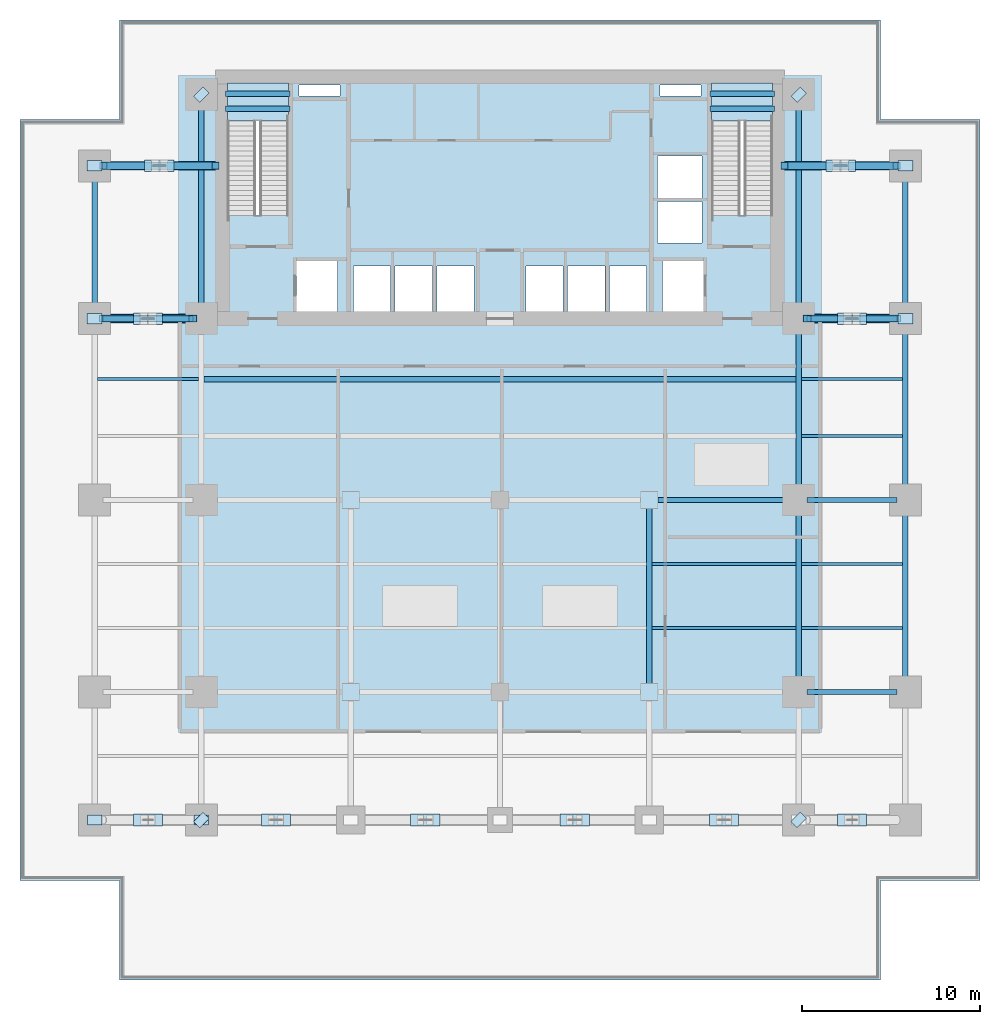
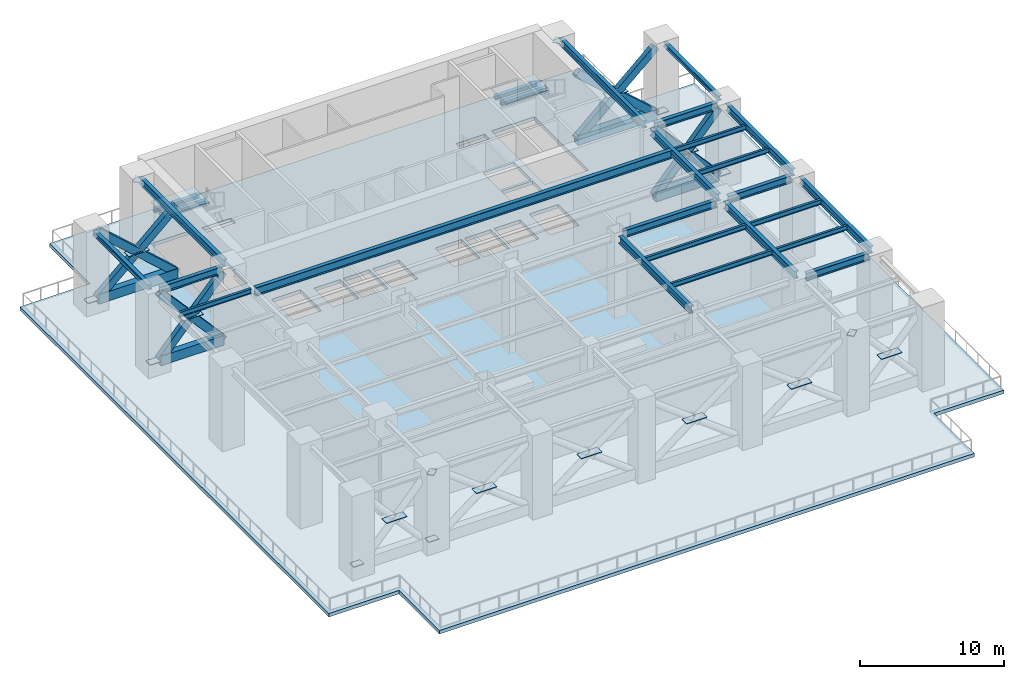
# One storey, part 2 of 10: 30 beams, 20 plates, 12 members, 3 slabs, 2 elements without a shape of their own.
"""IFC4 building model written with IfcOpenShell, lengths in metres."""

from ifc_helpers import new_model, si_unit, direction, frame, origin, origin_2d, place, context, subcontext, project, spatial, polyline, rectangle, hollow_rectangle, i_section, outline, extrude, source, transform, mapped, material, layer, layer_set, material_profile, profile_set, type_object, element, aggregate, save


model = new_model("IFC4")

# Units and contexts
model_context = context("Model", 3, precision=1e-05, world=origin(), true_north=direction((0.0, 1.0)))
body_context = subcontext(model_context, "Body", "Model", "MODEL_VIEW")
ifc_project = project(units=[si_unit("LENGTHUNIT", "METRE"), si_unit("AREAUNIT", "SQUARE_METRE"), si_unit("VOLUMEUNIT", "CUBIC_METRE"), si_unit("PLANEANGLEUNIT", "RADIAN"), si_unit("MASSUNIT", "GRAM", prefix="KILO")], contexts=[model_context])

# Site, building, storey
site_placement = place(None, origin())
site = spatial("IfcSite", under=ifc_project, at=site_placement, CompositionType="ELEMENT")
building_placement = place(site_placement, origin())
building = spatial("IfcBuilding", under=site, at=building_placement, Name="Sumidabori Civic Tower", CompositionType="ELEMENT")
storey_placement = place(building_placement, frame((0.0, 0.0, 70.39990234375)))
storey = spatial("IfcBuildingStorey", under=building, at=storey_placement, Name="L18", CompositionType="ELEMENT", Elevation=70.39990234375)

# Beams
ifc_material_1 = material(Name="Steel SN490", Category="steel")
ifc_material_profile_1 = material_profile(ifc_material_1, i_section(OverallWidth=0.300048828125, OverallDepth=0.300048828125, WebThickness=0.010986328125, FlangeThickness=0.01904296875, at=origin_2d()), Name="HE 300 B")
ifc_profile_set_1 = profile_set([ifc_material_profile_1], Name="Steel SN490")
beam_type_1 = type_object("IfcBeamType", Name="BM-LDG-300", PredefinedType="BEAM", material=ifc_profile_set_1)
shared_shape_1 = source(origin(), body_context, "Body", "SweptSolid", [
    extrude(i_section(OverallWidth=0.300048828125, OverallDepth=0.300048828125, WebThickness=0.010986328125, FlangeThickness=0.01904296875, at=origin_2d()), origin(), (0.0, 0.0, 1.0), 3.64990234375),
])
for number, where, z_axis, x_axis, name in (
    (1, (-15.449951171875, 22.001708984375, 3.25), (1.0, 0.0, 0.0), (0.0, 1.0, 0.0), "Stair ST-1 Landing Support Beam L18-1A"),
    (2, (-15.449951171875, 22.853515625, 3.25), (1.0, 0.0, 0.0), (0.0, 1.0, 0.0), "Stair ST-1 Landing Trimmer Beam L18-1B"),
    (3, (11.800048828125, 22.001708984375, 3.25), (1.0, 0.0, 0.0), (0.0, 1.0, 0.0), "Stair ST-2 Landing Support Beam L18-1A"),
    (4, (11.800048828125, 22.853515625, 3.25), (1.0, 0.0, 0.0), (0.0, 1.0, 0.0), "Stair ST-2 Landing Trimmer Beam L18-1B"),
):
    element("IfcBeam", number, at=place(storey_placement, frame(where, z_axis=z_axis, x_axis=x_axis)), inside=storey, type_object=beam_type_1, Name=name, PredefinedType="BEAM", context=body_context, shape_type="MappedRepresentation", body=[
        mapped(shared_shape_1, transform((0.0, 0.0, 0.0), x_axis=(1.0, 0.0, 0.0), y_axis=(0.0, 1.0, 0.0), z_axis=(0.0, 0.0, 1.0), scale=1.0)),
    ])
ifc_material_profile_2 = material_profile(ifc_material_1, i_section(OverallWidth=0.300048828125, OverallDepth=0.60009765625, WebThickness=0.015380859375, FlangeThickness=0.030029296875, at=origin_2d()), Name="HE 600 B")
ifc_profile_set_2 = profile_set([ifc_material_profile_2], Name="Steel SN490")
beam_type_2 = type_object("IfcBeamType", Name="BM-GIRD-600", PredefinedType="BEAM", material=ifc_profile_set_2)
shared_shape_2 = source(origin(), body_context, "Body", "SweptSolid", [
    extrude(i_section(OverallWidth=0.300048828125, OverallDepth=0.60009765625, WebThickness=0.015380859375, FlangeThickness=0.030029296875, at=origin_2d()), origin(), (0.0, 0.0, 1.0), 5.0400390625),
])
for number, where, z_axis, x_axis, name in (
    (5, (17.280029296875, -10.800048828125, 6.60009765625), (1.0, 0.0, 0.0), (0.0, 1.0, 0.0), "Primary Girder L18 GX-12"),
    (6, (17.280029296875, 0.0, 6.60009765625), (1.0, 0.0, 0.0), (0.0, 1.0, 0.0), "Primary Girder L18 GX-18"),
    (7, (-22.320068359375, 10.199951171875, 6.60009765625), (1.0, 0.0, 0.0), (0.0, 1.0, 0.0), "Primary Girder L18 GX-19"),
    (8, (17.280029296875, 10.199951171875, 6.60009765625), (1.0, 0.0, 0.0), (0.0, 1.0, 0.0), "Primary Girder L18 GX-20"),
):
    element("IfcBeam", number, at=place(storey_placement, frame(where, z_axis=z_axis, x_axis=x_axis)), inside=storey, type_object=beam_type_2, Name=name, PredefinedType="BEAM", context=body_context, shape_type="MappedRepresentation", body=[
        mapped(shared_shape_2, transform((0.0, 0.0, 0.0), x_axis=(1.0, 0.0, 0.0), y_axis=(0.0, 1.0, 0.0), z_axis=(0.0, 0.0, 1.0), scale=1.0)),
    ])
shared_shape_3 = source(origin(), body_context, "Body", "SweptSolid", [
    extrude(i_section(OverallWidth=0.300048828125, OverallDepth=0.60009765625, WebThickness=0.015380859375, FlangeThickness=0.030029296875, at=origin_2d()), origin(), (0.0, 0.0, 1.0), 7.440185546875),
])
beam_1_placement = place(storey_placement, frame((8.8798828125, 0.0, 6.60009765625), z_axis=(1.0, 0.0, 0.0), x_axis=(0.0, 1.0, 0.0)))
element("IfcBeam", 9, at=beam_1_placement, inside=storey, type_object=beam_type_2, Name="Primary Girder L18 GX-17", PredefinedType="BEAM", context=body_context, shape_type="MappedRepresentation", body=[
    mapped(shared_shape_3, transform((0.0, 0.0, 0.0), x_axis=(1.0, 0.0, 0.0), y_axis=(0.0, 1.0, 0.0), z_axis=(0.0, 0.0, 1.0), scale=1.0)),
])
shared_shape_4 = source(origin(), body_context, "Body", "SweptSolid", [
    extrude(i_section(OverallWidth=0.300048828125, OverallDepth=0.60009765625, WebThickness=0.015380859375, FlangeThickness=0.030029296875, at=origin_2d()), origin(), (0.0, 0.0, 1.0), 9.840087890625),
])
for number, where, z_axis, x_axis, name in (
    (10, (8.39990234375, -10.320068359375, 6.60009765625), (0.0, 1.0, 0.0), (-1.0, 0.0, 0.0), "Primary Girder L18 GY-34"),
    (11, (16.800048828125, -10.320068359375, 6.60009765625), (0.0, 1.0, 0.0), (-1.0, 0.0, 0.0), "Primary Girder L18 GY-36"),
    (12, (22.800048828125, -10.320068359375, 6.60009765625), (0.0, 1.0, 0.0), (-1.0, 0.0, 0.0), "Primary Girder L18 GY-40"),
):
    element("IfcBeam", number, at=place(storey_placement, frame(where, z_axis=z_axis, x_axis=x_axis)), inside=storey, type_object=beam_type_2, Name=name, PredefinedType="BEAM", context=body_context, shape_type="MappedRepresentation", body=[
        mapped(shared_shape_4, transform((0.0, 0.0, 0.0), x_axis=(1.0, 0.0, 0.0), y_axis=(0.0, 1.0, 0.0), z_axis=(0.0, 0.0, 1.0), scale=1.0)),
    ])
shared_shape_5 = source(origin(), body_context, "Body", "SweptSolid", [
    extrude(i_section(OverallWidth=0.300048828125, OverallDepth=0.60009765625, WebThickness=0.015380859375, FlangeThickness=0.030029296875, at=origin_2d()), origin(), (0.0, 0.0, 1.0), 9.239990234375),
])
for number, where, z_axis, x_axis, name in (
    (13, (16.800048828125, 0.47998046875, 6.60009765625), (0.0, 1.0, 0.0), (-1.0, 0.0, 0.0), "Primary Girder L18 GY-37"),
    (14, (22.800048828125, 0.47998046875, 6.60009765625), (0.0, 1.0, 0.0), (-1.0, 0.0, 0.0), "Primary Girder L18 GY-41"),
):
    element("IfcBeam", number, at=place(storey_placement, frame(where, z_axis=z_axis, x_axis=x_axis)), inside=storey, type_object=beam_type_2, Name=name, PredefinedType="BEAM", context=body_context, shape_type="MappedRepresentation", body=[
        mapped(shared_shape_5, transform((0.0, 0.0, 0.0), x_axis=(1.0, 0.0, 0.0), y_axis=(0.0, 1.0, 0.0), z_axis=(0.0, 0.0, 1.0), scale=1.0)),
    ])
ifc_material_profile_3 = material_profile(ifc_material_1, i_section(OverallWidth=0.300048828125, OverallDepth=0.39990234375, WebThickness=0.013427734375, FlangeThickness=0.02392578125, at=origin_2d()), Name="HE 400 B")
ifc_profile_set_3 = profile_set([ifc_material_profile_3], Name="Steel SN490")
beam_type_3 = type_object("IfcBeamType", Name="BM-GIRD-400", PredefinedType="BEAM", material=ifc_profile_set_3)
shared_shape_6 = source(origin(), body_context, "Body", "SweptSolid", [
    extrude(i_section(OverallWidth=0.300048828125, OverallDepth=0.39990234375, WebThickness=0.013427734375, FlangeThickness=0.02392578125, at=origin_2d()), origin(), (0.0, 0.0, 1.0), 7.64013671875),
])
for number, where, z_axis, x_axis, name in (
    (15, (-22.800048828125, 10.679931640625, 6.7001953125), (0.0, 1.0, 0.0), (-1.0, 0.0, 0.0), "Primary Girder L18 GY-24"),
    (16, (22.800048828125, 10.679931640625, 6.7001953125), (0.0, 1.0, 0.0), (-1.0, 0.0, 0.0), "Primary Girder L18 GY-42"),
):
    element("IfcBeam", number, at=place(storey_placement, frame(where, z_axis=z_axis, x_axis=x_axis)), inside=storey, type_object=beam_type_3, Name=name, PredefinedType="BEAM", context=body_context, shape_type="MappedRepresentation", body=[
        mapped(shared_shape_6, transform((0.0, 0.0, 0.0), x_axis=(1.0, 0.0, 0.0), y_axis=(0.0, 1.0, 0.0), z_axis=(0.0, 0.0, 1.0), scale=1.0)),
    ])
shared_shape_7 = source(origin(), body_context, "Body", "SweptSolid", [
    extrude(i_section(OverallWidth=0.300048828125, OverallDepth=0.60009765625, WebThickness=0.015380859375, FlangeThickness=0.030029296875, at=origin_2d()), origin(), (0.0, 0.0, 1.0), 11.64013671875),
])
for number, where, z_axis, x_axis, name in (
    (17, (-16.800048828125, 10.679931640625, 6.60009765625), (0.0, 1.0, 0.0), (-1.0, 0.0, 0.0), "Primary Girder L18 GY-28"),
    (18, (16.800048828125, 10.679931640625, 6.60009765625), (0.0, 1.0, 0.0), (-1.0, 0.0, 0.0), "Primary Girder L18 GY-38"),
):
    element("IfcBeam", number, at=place(storey_placement, frame(where, z_axis=z_axis, x_axis=x_axis)), inside=storey, type_object=beam_type_2, Name=name, PredefinedType="BEAM", context=body_context, shape_type="MappedRepresentation", body=[
        mapped(shared_shape_7, transform((0.0, 0.0, 0.0), x_axis=(1.0, 0.0, 0.0), y_axis=(0.0, 1.0, 0.0), z_axis=(0.0, 0.0, 1.0), scale=1.0)),
    ])
ifc_material_profile_4 = material_profile(ifc_material_1, i_section(OverallWidth=0.300048828125, OverallDepth=0.699951171875, WebThickness=0.01708984375, FlangeThickness=0.031982421875, at=origin_2d()), Name="HE 700 B")
ifc_profile_set_4 = profile_set([ifc_material_profile_4], Name="Steel SN490")
beam_type_4 = type_object("IfcBeamType", Name="BM-GIRD-700", PredefinedType="BEAM", material=ifc_profile_set_4)
shared_shape_8 = source(origin(), body_context, "Body", "SweptSolid", [
    extrude(i_section(OverallWidth=0.300048828125, OverallDepth=0.699951171875, WebThickness=0.01708984375, FlangeThickness=0.031982421875, at=origin_2d()), origin(), (0.0, 0.0, 1.0), 33.2998046875),
])
beam_2_placement = place(storey_placement, frame((-16.64990234375, 6.800048828125, 6.550048828125), z_axis=(1.0, 0.0, 0.0), x_axis=(0.0, 1.0, 0.0)))
element("IfcBeam", 19, at=beam_2_placement, inside=storey, type_object=beam_type_4, Name="North Bay Floor Beam L18 JSTN-54", PredefinedType="BEAM", context=body_context, shape_type="MappedRepresentation", body=[
    mapped(shared_shape_8, transform((0.0, 0.0, 0.0), x_axis=(1.0, 0.0, 0.0), y_axis=(0.0, 1.0, 0.0), z_axis=(0.0, 0.0, 1.0), scale=1.0)),
])
ifc_material_profile_5 = material_profile(ifc_material_1, i_section(OverallWidth=0.179931640625, OverallDepth=0.39990234375, WebThickness=0.008544921875, FlangeThickness=0.013427734375, at=origin_2d()), Name="IPE 400")
ifc_profile_set_5 = profile_set([ifc_material_profile_5], Name="Steel SN490")
beam_type_5 = type_object("IfcBeamType", Name="BM-JST-400", PredefinedType="JOIST", material=ifc_profile_set_5)
shared_shape_9 = source(origin(), body_context, "Body", "SweptSolid", [
    extrude(i_section(OverallWidth=0.179931640625, OverallDepth=0.39990234375, WebThickness=0.008544921875, FlangeThickness=0.013427734375, at=origin_2d()), origin(), (0.0, 0.0, 1.0), 5.699951171875),
])
for number, where, z_axis, x_axis, name in (
    (20, (16.949951171875, -7.199951171875, 6.7001953125), (1.0, 0.0, 0.0), (0.0, 1.0, 0.0), "Outer Bay Floor Joist L18 JSTO-44"),
    (21, (16.949951171875, -3.60009765625, 6.7001953125), (1.0, 0.0, 0.0), (0.0, 1.0, 0.0), "Outer Bay Floor Joist L18 JSTO-46"),
    (22, (16.949951171875, 3.60009765625, 6.7001953125), (1.0, 0.0, 0.0), (0.0, 1.0, 0.0), "Outer Bay Floor Joist L18 JSTO-48"),
    (23, (-22.64990234375, 6.800048828125, 6.7001953125), (1.0, 0.0, 0.0), (0.0, 1.0, 0.0), "Outer Bay Floor Joist L18 JSTO-49"),
    (24, (16.949951171875, 6.800048828125, 6.7001953125), (1.0, 0.0, 0.0), (0.0, 1.0, 0.0), "Outer Bay Floor Joist L18 JSTO-50"),
):
    element("IfcBeam", number, at=place(storey_placement, frame(where, z_axis=z_axis, x_axis=x_axis)), inside=storey, type_object=beam_type_5, Name=name, PredefinedType="JOIST", context=body_context, shape_type="MappedRepresentation", body=[
        mapped(shared_shape_9, transform((0.0, 0.0, 0.0), x_axis=(1.0, 0.0, 0.0), y_axis=(0.0, 1.0, 0.0), z_axis=(0.0, 0.0, 1.0), scale=1.0)),
    ])
shared_shape_10 = source(origin(), body_context, "Body", "SweptSolid", [
    extrude(i_section(OverallWidth=0.179931640625, OverallDepth=0.39990234375, WebThickness=0.008544921875, FlangeThickness=0.013427734375, at=origin_2d()), origin(), (0.0, 0.0, 1.0), 8.099853515625),
])
for number, where, z_axis, x_axis, name in (
    (25, (8.550048828125, -7.199951171875, 6.7001953125), (1.0, 0.0, 0.0), (0.0, 1.0, 0.0), "South Bay Floor Joist L18 JSTS-62"),
    (26, (8.550048828125, -3.60009765625, 6.7001953125), (1.0, 0.0, 0.0), (0.0, 1.0, 0.0), "South Bay Floor Joist L18 JSTS-66"),
):
    element("IfcBeam", number, at=place(storey_placement, frame(where, z_axis=z_axis, x_axis=x_axis)), inside=storey, type_object=beam_type_5, Name=name, PredefinedType="JOIST", context=body_context, shape_type="MappedRepresentation", body=[
        mapped(shared_shape_10, transform((0.0, 0.0, 0.0), x_axis=(1.0, 0.0, 0.0), y_axis=(0.0, 1.0, 0.0), z_axis=(0.0, 0.0, 1.0), scale=1.0)),
    ])
ifc_material_profile_6 = material_profile(ifc_material_1, hollow_rectangle(XDim=0.5, YDim=0.800048828125, WallThickness=0.031982421875, at=origin_2d()), Name="RHS 800x500x32")
ifc_profile_set_6 = profile_set([ifc_material_profile_6], Name="Steel SN490")
beam_type_6 = type_object("IfcBeamType", Name="BM-OUTR-CHORD", PredefinedType="BEAM", material=ifc_profile_set_6)
shared_shape_11 = source(origin(), body_context, "Body", "SweptSolid", [
    extrude(hollow_rectangle(XDim=0.5, YDim=0.800048828125, WallThickness=0.031982421875, at=origin_2d()), origin(), (0.0, 0.0, 1.0), 5.0400390625),
])
for number, where, z_axis, x_axis, name in (
    (27, (-17.280029296875, 10.199951171875, 0.7001953125), (-1.0, 0.0, 0.0), (0.0, -1.0, 0.0), "Outrigger Truss Chord L18 W1"),
    (28, (17.280029296875, 10.199951171875, 0.7001953125), (1.0, 0.0, 0.0), (0.0, 1.0, 0.0), "Outrigger Truss Chord L18 E1"),
):
    element("IfcBeam", number, at=place(storey_placement, frame(where, z_axis=z_axis, x_axis=x_axis)), inside=storey, type_object=beam_type_6, Name=name, PredefinedType="BEAM", context=body_context, shape_type="MappedRepresentation", body=[
        mapped(shared_shape_11, transform((0.0, 0.0, 0.0), x_axis=(1.0, 0.0, 0.0), y_axis=(0.0, 1.0, 0.0), z_axis=(0.0, 0.0, 1.0), scale=1.0)),
    ])

# Members
ifc_material_profile_7 = material_profile(ifc_material_1, hollow_rectangle(XDim=0.39990234375, YDim=0.60009765625, WallThickness=0.02490234375, at=origin_2d()), Name="RHS 600x400x25")
ifc_profile_set_7 = profile_set([ifc_material_profile_7], Name="Steel SN490")
member_type = type_object("IfcMemberType", Name="MB-OT-DIAG", PredefinedType="BRACE", material=ifc_profile_set_7)
shared_shape_12 = source(origin(), body_context, "Body", "SweptSolid", [
    extrude(hollow_rectangle(XDim=0.39990234375, YDim=0.60009765625, WallThickness=0.02490234375, at=origin_2d()), origin(), (0.0, 0.0, 1.0), 7.5712890625),
])
for number, where, z_axis, x_axis, name in (
    (29, (-17.280029296875, 10.199951171875, 0.7001953125), (-0.665683769998, 0.0, 0.746233956854), (0.0, -1.0, 0.0), "Outrigger Truss Diagonal L18 W1A"),
    (30, (17.280029296875, 10.199951171875, 0.7001953125), (0.665683769998, 0.0, 0.746233956854), (0.0, 1.0, 0.0), "Outrigger Truss Diagonal L18 E1A"),
):
    element("IfcMember", number, at=place(storey_placement, frame(where, z_axis=z_axis, x_axis=x_axis)), inside=storey, type_object=member_type, Name=name, PredefinedType="BRACE", context=body_context, shape_type="MappedRepresentation", body=[
        mapped(shared_shape_12, transform((0.0, 0.0, 0.0), x_axis=(1.0, 0.0, 0.0), y_axis=(0.0, 1.0, 0.0), z_axis=(0.0, 0.0, 1.0), scale=1.0)),
    ])
shared_shape_13 = source(origin(), body_context, "Body", "SweptSolid", [
    extrude(hollow_rectangle(XDim=0.39990234375, YDim=0.60009765625, WallThickness=0.02490234375, at=origin_2d()), origin(), (0.0, 0.0, 1.0), 3.437255859375),
])
for number, where, z_axis, x_axis, name in (
    (31, (-17.280029296875, 10.199951171875, 6.35009765625), (-0.665685410802, 0.0, -0.746232493159), (0.0, -1.0, 0.0), "Outrigger Truss Diagonal L18 W1B Lower Segment"),
    (32, (-20.031982421875, 10.199951171875, 3.26513671875), (-0.665685410802, 0.0, -0.746232493159), (0.0, -1.0, 0.0), "Outrigger Truss Diagonal L18 W1B Upper Segment"),
    (33, (17.280029296875, 10.199951171875, 6.35009765625), (0.665685410802, 0.0, -0.746232493159), (0.0, 1.0, 0.0), "Outrigger Truss Diagonal L18 E1B Lower Segment"),
    (34, (20.031982421875, 10.199951171875, 3.26513671875), (0.665685410802, 0.0, -0.746232493159), (0.0, 1.0, 0.0), "Outrigger Truss Diagonal L18 E1B Upper Segment"),
):
    element("IfcMember", number, at=place(storey_placement, frame(where, z_axis=z_axis, x_axis=x_axis)), inside=storey, type_object=member_type, Name=name, PredefinedType="BRACE", context=body_context, shape_type="MappedRepresentation", body=[
        mapped(shared_shape_13, transform((0.0, 0.0, 0.0), x_axis=(1.0, 0.0, 0.0), y_axis=(0.0, 1.0, 0.0), z_axis=(0.0, 0.0, 1.0), scale=1.0)),
    ])

# Beams
shared_shape_14 = source(origin(), body_context, "Body", "SweptSolid", [
    extrude(hollow_rectangle(XDim=0.5, YDim=0.800048828125, WallThickness=0.031982421875, at=origin_2d()), origin(), (0.0, 0.0, 1.0), 6.320068359375),
])
for number, where, z_axis, x_axis, name in (
    (35, (-16.0, 18.800048828125, 0.7001953125), (-1.0, 0.0, 0.0), (0.0, -1.0, 0.0), "Outrigger Truss Chord L18 W2"),
    (36, (16.0, 18.800048828125, 0.7001953125), (1.0, 0.0, 0.0), (0.0, 1.0, 0.0), "Outrigger Truss Chord L18 E2"),
):
    element("IfcBeam", number, at=place(storey_placement, frame(where, z_axis=z_axis, x_axis=x_axis)), inside=storey, type_object=beam_type_6, Name=name, PredefinedType="BEAM", context=body_context, shape_type="MappedRepresentation", body=[
        mapped(shared_shape_14, transform((0.0, 0.0, 0.0), x_axis=(1.0, 0.0, 0.0), y_axis=(0.0, 1.0, 0.0), z_axis=(0.0, 0.0, 1.0), scale=1.0)),
    ])

# Members
shared_shape_15 = source(origin(), body_context, "Body", "SweptSolid", [
    extrude(hollow_rectangle(XDim=0.39990234375, YDim=0.60009765625, WallThickness=0.02490234375, at=origin_2d()), origin(), (0.0, 0.0, 1.0), 8.477294921875),
])
for number, where, z_axis, x_axis, name in (
    (37, (-16.0, 18.800048828125, 0.7001953125), (-0.745528218739, 0.0, 0.666474061809), (0.0, -1.0, 0.0), "Outrigger Truss Diagonal L18 W2A"),
    (38, (16.0, 18.800048828125, 0.7001953125), (0.745528218739, 0.0, 0.666474061809), (0.0, 1.0, 0.0), "Outrigger Truss Diagonal L18 E2A"),
):
    element("IfcMember", number, at=place(storey_placement, frame(where, z_axis=z_axis, x_axis=x_axis)), inside=storey, type_object=member_type, Name=name, PredefinedType="BRACE", context=body_context, shape_type="MappedRepresentation", body=[
        mapped(shared_shape_15, transform((0.0, 0.0, 0.0), x_axis=(1.0, 0.0, 0.0), y_axis=(0.0, 1.0, 0.0), z_axis=(0.0, 0.0, 1.0), scale=1.0)),
    ])
shared_shape_16 = source(origin(), body_context, "Body", "SweptSolid", [
    extrude(hollow_rectangle(XDim=0.39990234375, YDim=0.60009765625, WallThickness=0.02490234375, at=origin_2d()), origin(), (0.0, 0.0, 1.0), 3.89111328125),
])
for number, where, z_axis, x_axis, name in (
    (39, (-16.0, 18.800048828125, 6.35009765625), (-0.745530061343, 0.0, -0.666472000638), (0.0, -1.0, 0.0), "Outrigger Truss Diagonal L18 W2B Lower Segment"),
    (40, (-19.419189453125, 18.800048828125, 3.29345703125), (-0.745530061343, 0.0, -0.666472000638), (0.0, -1.0, 0.0), "Outrigger Truss Diagonal L18 W2B Upper Segment"),
    (41, (16.0, 18.800048828125, 6.35009765625), (0.745530061343, 0.0, -0.666472000638), (0.0, 1.0, 0.0), "Outrigger Truss Diagonal L18 E2B Lower Segment"),
    (42, (19.419189453125, 18.800048828125, 3.29345703125), (0.745530061343, 0.0, -0.666472000638), (0.0, 1.0, 0.0), "Outrigger Truss Diagonal L18 E2B Upper Segment"),
):
    element("IfcMember", number, at=place(storey_placement, frame(where, z_axis=z_axis, x_axis=x_axis)), inside=storey, type_object=member_type, Name=name, PredefinedType="BRACE", context=body_context, shape_type="MappedRepresentation", body=[
        mapped(shared_shape_16, transform((0.0, 0.0, 0.0), x_axis=(1.0, 0.0, 0.0), y_axis=(0.0, 1.0, 0.0), z_axis=(0.0, 0.0, 1.0), scale=1.0)),
    ])

# Stair, slab
ifc_material_2 = material(Name="Concrete C40/50", Category="concrete")
stair_type = type_object("IfcStairType", Name="ST-CORE-1600", PredefinedType="HALF_TURN_STAIR", material=ifc_material_2)
stair_1_placement = place(storey_placement, origin())
stair_1 = element("IfcStair", 43, at=stair_1_placement, inside=storey, type_object=stair_type, Name="L18 ST-1", PredefinedType="HALF_TURN_STAIR")
ifc_layer_1 = layer(ifc_material_2, 0.199951171875, Name="Concrete C40/50")
ifc_layer_set_1 = layer_set([ifc_layer_1], Name="Concrete C40/50")
slab_type_1 = type_object("IfcSlabType", Name="SL-LAND-200", PredefinedType="LANDING", material=ifc_layer_set_1)
slab_1_placement = place(storey_placement, frame((0.0, 0.0, 3.400146484375)))
slab_1 = element("IfcSlab", 44, at=slab_1_placement, type_object=slab_type_1, Name="ST-1 landing 1", PredefinedType="LANDING", context=body_context, shape_type="SweptSolid", body=[
    extrude(outline(polyline([(-11.89990234375, 21.320068359375), (-11.89990234375, 23.449951171875), (-15.340087890625, 23.449951171875), (-15.340087890625, 21.320068359375), (-11.89990234375, 21.320068359375)])), origin(), (0.0, 0.0, 1.0), 0.199951171875),
])
aggregate(stair_1, [slab_1])

stair_2_placement = place(storey_placement, origin())
stair_2 = element("IfcStair", 45, at=stair_2_placement, inside=storey, type_object=stair_type, Name="L18 ST-2", PredefinedType="HALF_TURN_STAIR")
slab_2_placement = place(storey_placement, frame((0.0, 0.0, 3.400146484375)))
slab_2 = element("IfcSlab", 46, at=slab_2_placement, type_object=slab_type_1, Name="ST-2 landing 1", PredefinedType="LANDING", context=body_context, shape_type="SweptSolid", body=[
    extrude(outline(polyline([(15.340087890625, 21.320068359375), (15.340087890625, 23.449951171875), (11.89990234375, 23.449951171875), (11.89990234375, 21.320068359375), (15.340087890625, 21.320068359375)])), origin(), (0.0, 0.0, 1.0), 0.199951171875),
])
aggregate(stair_2, [slab_2])

# Slab
ifc_layer_2 = layer(ifc_material_2, 0.300048828125, Name="Concrete C40/50")
ifc_layer_set_2 = layer_set([ifc_layer_2], Name="Concrete C40/50")
slab_type_2 = type_object("IfcSlabType", Name="SL-PRT-300", PredefinedType="FLOOR", material=ifc_layer_set_2)
slab_3_placement = place(storey_placement, frame((0.0, 0.0, -0.2998046875)))
element("IfcSlab", 47, at=slab_3_placement, inside=storey, type_object=slab_type_2, Name="Wind-Slot Refuge and Plant Structural Slab L18", PredefinedType="FLOOR", context=body_context, shape_type="SweptSolid", body=[
    extrude(outline(polyline([(-21.39990234375, -27.0), (21.39990234375, -27.0), (21.39990234375, -21.39990234375), (27.0, -21.39990234375), (27.0, 21.39990234375), (21.39990234375, 21.39990234375), (21.39990234375, 27.0), (-21.39990234375, 27.0), (-21.39990234375, 21.39990234375), (-27.0, 21.39990234375), (-27.0, -21.39990234375), (-21.39990234375, -21.39990234375), (-21.39990234375, -27.0)]), holes=[polyline([(-11.89990234375, 16.0), (-11.89990234375, 23.449951171875), (-15.340087890625, 23.449951171875), (-15.340087890625, 16.0), (-11.89990234375, 16.0)]), polyline([(15.340087890625, 16.0), (15.340087890625, 23.449951171875), (11.89990234375, 23.449951171875), (11.89990234375, 16.0), (15.340087890625, 16.0)]), polyline([(-11.449951171875, 10.550048828125), (-9.14990234375, 10.550048828125), (-9.14990234375, 13.449951171875), (-11.449951171875, 13.449951171875), (-11.449951171875, 10.550048828125)]), polyline([(9.14990234375, 10.550048828125), (11.449951171875, 10.550048828125), (11.449951171875, 13.449951171875), (9.14990234375, 13.449951171875), (9.14990234375, 10.550048828125)]), polyline([(-8.25, 10.550048828125), (-6.14990234375, 10.550048828125), (-6.14990234375, 13.14990234375), (-8.25, 13.14990234375), (-8.25, 10.550048828125)]), polyline([(-5.89990234375, 10.550048828125), (-3.800048828125, 10.550048828125), (-3.800048828125, 13.14990234375), (-5.89990234375, 13.14990234375), (-5.89990234375, 10.550048828125)]), polyline([(-3.550048828125, 10.550048828125), (-1.449951171875, 10.550048828125), (-1.449951171875, 13.14990234375), (-3.550048828125, 13.14990234375), (-3.550048828125, 10.550048828125)]), polyline([(1.449951171875, 10.550048828125), (3.550048828125, 10.550048828125), (3.550048828125, 13.14990234375), (1.449951171875, 13.14990234375), (1.449951171875, 10.550048828125)]), polyline([(3.800048828125, 10.550048828125), (5.89990234375, 10.550048828125), (5.89990234375, 13.14990234375), (3.800048828125, 13.14990234375), (3.800048828125, 10.550048828125)]), polyline([(6.14990234375, 10.550048828125), (8.25, 10.550048828125), (8.25, 13.14990234375), (6.14990234375, 13.14990234375), (6.14990234375, 10.550048828125)]), polyline([(8.85009765625, 14.449951171875), (11.35009765625, 14.449951171875), (11.35009765625, 16.800048828125), (8.85009765625, 16.800048828125), (8.85009765625, 14.449951171875)]), polyline([(8.85009765625, 17.0), (11.35009765625, 17.0), (11.35009765625, 19.35009765625), (8.85009765625, 19.35009765625), (8.85009765625, 17.0)]), polyline([(-11.300048828125, 22.719970703125), (-9.0, 22.719970703125), (-9.0, 23.35009765625), (-11.300048828125, 23.35009765625), (-11.300048828125, 22.719970703125)]), polyline([(9.0, 22.719970703125), (11.300048828125, 22.719970703125), (11.300048828125, 23.35009765625), (9.0, 23.35009765625), (9.0, 22.719970703125)])]), origin(), (0.0, 0.0, 1.0), 0.2998046875),
])

# Plates
ifc_layer_3 = layer(ifc_material_1, 0.0400390625, Name="Steel SN490")
ifc_layer_set_3 = layer_set([ifc_layer_3], Name="Steel SN490")
plate_type_1 = type_object("IfcPlateType", Name="PL-NODE-XBR", PredefinedType="USERDEFINED", material=ifc_layer_set_3)
shared_shape_17 = source(origin(), body_context, "Body", "SweptSolid", [
    extrude(rectangle(XDim=1.64990234375, YDim=0.64990234375, at=origin_2d()), origin(), (0.0, 0.0, 1.0), 0.0400390625),
])
for number, where, z_axis, x_axis, name in (
    (48, (-19.800048828125, -18.0, 3.505126953125), (0.0, 0.0, 1.0), (1.0, 0.0, 0.0), "X-Brace Crossing Node Plate XND-BT-1"),
    (49, (-12.60009765625, -18.0, 3.505126953125), (0.0, 0.0, 1.0), (1.0, 0.0, 0.0), "X-Brace Crossing Node Plate XND-BT-2"),
    (50, (-4.199951171875, -18.0, 3.505126953125), (0.0, 0.0, 1.0), (1.0, 0.0, 0.0), "X-Brace Crossing Node Plate XND-BT-3"),
    (51, (4.199951171875, -18.0, 3.505126953125), (0.0, 0.0, 1.0), (1.0, 0.0, 0.0), "X-Brace Crossing Node Plate XND-BT-4"),
    (52, (12.60009765625, -18.0, 3.505126953125), (0.0, 0.0, 1.0), (1.0, 0.0, 0.0), "X-Brace Crossing Node Plate XND-BT-5"),
    (53, (19.800048828125, -18.0, 3.505126953125), (0.0, 0.0, 1.0), (1.0, 0.0, 0.0), "X-Brace Crossing Node Plate XND-BT-6"),
    (54, (-19.800048828125, 10.199951171875, 3.505126953125), (0.0, 0.0, 1.0), (-1.0, 0.0, 0.0), "X-Brace Crossing Node Plate XND-OT-W1"),
    (55, (-19.159912109375, 18.800048828125, 3.505126953125), (0.0, 0.0, 1.0), (-1.0, 0.0, 0.0), "X-Brace Crossing Node Plate XND-OT-W2"),
    (56, (19.800048828125, 10.199951171875, 3.505126953125), (0.0, 0.0, 1.0), (1.0, 0.0, 0.0), "X-Brace Crossing Node Plate XND-OT-E1"),
    (57, (19.159912109375, 18.800048828125, 3.505126953125), (0.0, 0.0, 1.0), (1.0, 0.0, 0.0), "X-Brace Crossing Node Plate XND-OT-E2"),
):
    element("IfcPlate", number, at=place(storey_placement, frame(where, z_axis=z_axis, x_axis=x_axis)), inside=storey, type_object=plate_type_1, Name=name, ObjectType="GUSSET_PLATE", PredefinedType="USERDEFINED", context=body_context, shape_type="MappedRepresentation", body=[
        mapped(shared_shape_17, transform((0.0, 0.0, 0.0), x_axis=(1.0, 0.0, 0.0), y_axis=(0.0, 1.0, 0.0), z_axis=(0.0, 0.0, 1.0), scale=1.0)),
    ])
ifc_layer_4 = layer(ifc_material_1, 0.0400390625, Name="Steel SN490")
ifc_layer_set_4 = layer_set([ifc_layer_4], Name="Steel SN490")
plate_type_2 = type_object("IfcPlateType", Name="PL-NODE-BT", PredefinedType="USERDEFINED", material=ifc_layer_set_4)
shared_shape_18 = source(origin(), body_context, "Body", "SweptSolid", [
    extrude(rectangle(XDim=0.800048828125, YDim=0.550048828125, at=origin_2d()), origin(), (0.0, 0.0, 1.0), 0.0400390625),
])
for number, where, z_axis, x_axis, name in (
    (58, (-22.800048828125, -18.0, 0.68017578125), (0.0, 0.0, 1.0), (1.0, 0.0, 0.0), "Belt Truss Node Cap Plate L18"),
    (59, (-16.800048828125, -18.0, 0.68017578125), (0.0, 0.0, 1.0), (1.0, 0.0, 0.0), "Belt Truss Node Cap Plate L18"),
):
    element("IfcPlate", number, at=place(storey_placement, frame(where, z_axis=z_axis, x_axis=x_axis)), inside=storey, type_object=plate_type_2, Name=name, ObjectType="GUSSET_PLATE", PredefinedType="USERDEFINED", context=body_context, shape_type="MappedRepresentation", body=[
        mapped(shared_shape_18, transform((0.0, 0.0, 0.0), x_axis=(1.0, 0.0, 0.0), y_axis=(0.0, 1.0, 0.0), z_axis=(0.0, 0.0, 1.0), scale=1.0)),
    ])
ifc_layer_5 = layer(ifc_material_1, 0.0400390625, Name="Steel SN490")
ifc_layer_set_5 = layer_set([ifc_layer_5], Name="Steel SN490")
plate_type_3 = type_object("IfcPlateType", Name="PL-NODE-OT", PredefinedType="USERDEFINED", material=ifc_layer_set_5)
shared_shape_19 = source(origin(), body_context, "Body", "SweptSolid", [
    extrude(rectangle(XDim=0.85009765625, YDim=0.60009765625, at=origin_2d()), origin(), (0.0, 0.0, 1.0), 0.0400390625),
])
for number, where, z_axis, x_axis, name in (
    (60, (-22.800048828125, 10.199951171875, 0.68017578125), (0.0, 0.0, 1.0), (1.0, 0.0, 0.0), "Outrigger Column Node Gusset L18"),
    (61, (-22.800048828125, 18.800048828125, 0.68017578125), (0.0, 0.0, 1.0), (1.0, 0.0, 0.0), "Outrigger Column Node Gusset L18"),
    (62, (22.800048828125, 10.199951171875, 0.68017578125), (0.0, 0.0, 1.0), (1.0, 0.0, 0.0), "Outrigger Column Node Gusset L18"),
    (63, (22.800048828125, 18.800048828125, 0.68017578125), (0.0, 0.0, 1.0), (1.0, 0.0, 0.0), "Outrigger Column Node Gusset L18"),
):
    element("IfcPlate", number, at=place(storey_placement, frame(where, z_axis=z_axis, x_axis=x_axis)), inside=storey, type_object=plate_type_3, Name=name, ObjectType="GUSSET_PLATE", PredefinedType="USERDEFINED", context=body_context, shape_type="MappedRepresentation", body=[
        mapped(shared_shape_19, transform((0.0, 0.0, 0.0), x_axis=(1.0, 0.0, 0.0), y_axis=(0.0, 1.0, 0.0), z_axis=(0.0, 0.0, 1.0), scale=1.0)),
    ])
ifc_layer_6 = layer(ifc_material_1, 0.035888671875, Name="Steel SN490")
ifc_layer_set_6 = layer_set([ifc_layer_6], Name="Steel SN490")
plate_type_4 = type_object("IfcPlateType", Name="PL-NODE-KN", PredefinedType="USERDEFINED", material=ifc_layer_set_6)
shared_shape_20 = source(origin(), body_context, "Body", "SweptSolid", [
    extrude(rectangle(XDim=0.75, YDim=0.5, at=origin_2d()), origin(), (0.0, 0.0, 1.0), 0.035888671875),
])
for number, where, z_axis, x_axis, name in (
    (64, (-16.800048828125, -18.0, 6.33203125), (0.0, 0.0, 1.0), (0.707106781187, 0.707106781187, 0.0), "Notched Corner Kink Node Plate L18-1"),
    (65, (16.800048828125, -18.0, 6.33203125), (0.0, 0.0, 1.0), (0.707106781187, 0.707106781187, 0.0), "Notched Corner Kink Node Plate L18-2"),
    (66, (-16.800048828125, 22.800048828125, 6.33203125), (0.0, 0.0, 1.0), (0.707106781187, 0.707106781187, 0.0), "Notched Corner Kink Node Plate L18-3"),
    (67, (16.800048828125, 22.800048828125, 6.33203125), (0.0, 0.0, 1.0), (0.707106781187, 0.707106781187, 0.0), "Notched Corner Kink Node Plate L18-4"),
):
    element("IfcPlate", number, at=place(storey_placement, frame(where, z_axis=z_axis, x_axis=x_axis)), inside=storey, type_object=plate_type_4, Name=name, ObjectType="GUSSET_PLATE", PredefinedType="USERDEFINED", context=body_context, shape_type="MappedRepresentation", body=[
        mapped(shared_shape_20, transform((0.0, 0.0, 0.0), x_axis=(1.0, 0.0, 0.0), y_axis=(0.0, 1.0, 0.0), z_axis=(0.0, 0.0, 1.0), scale=1.0)),
    ])

save(model, "model.ifc")
